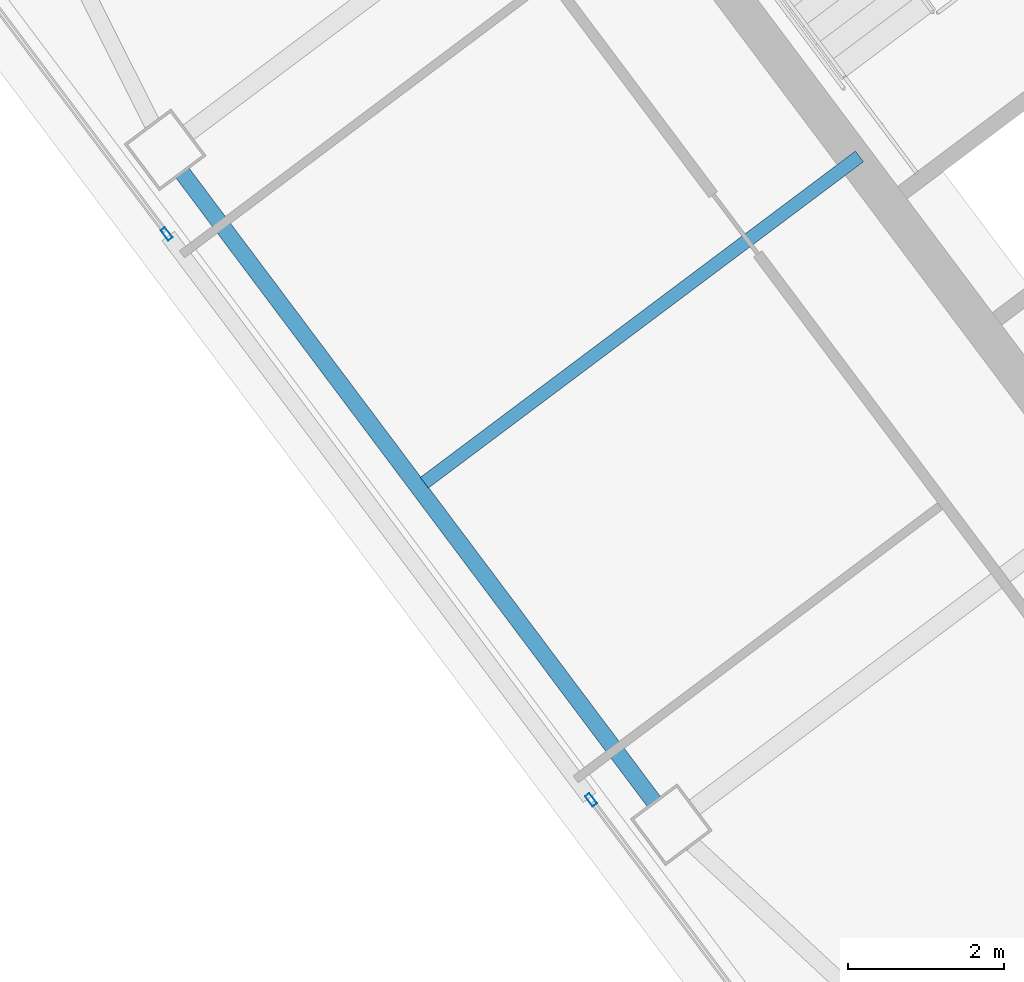
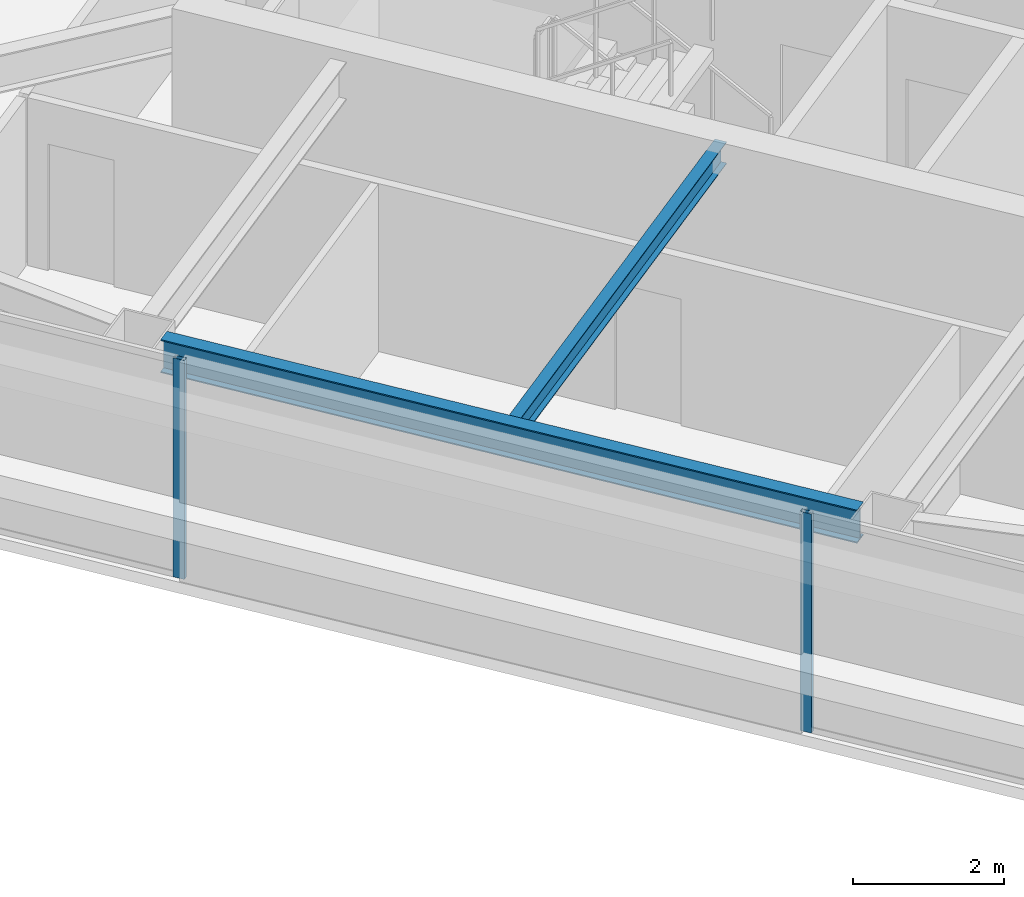
# One storey, part 16 of 39: 2 beams, 2 members, 2 elements without a shape of their own.
"""IFC4 building model written with IfcOpenShell, lengths in metres."""

from ifc_helpers import new_model, si_unit, direction, frame, origin, origin_2d, place, context, subcontext, project, spatial, hollow_rectangle, i_section, extrude, material, material_profile, profile_set, type_object, element, aggregate, save


model = new_model("IFC4")

# Units and contexts
model_context = context("Model", 3, precision=1e-05, world=origin(), true_north=direction((0.0, 1.0)))
body_context = subcontext(model_context, "Body", "Model", "MODEL_VIEW")
ifc_project = project(units=[si_unit("LENGTHUNIT", "METRE"), si_unit("AREAUNIT", "SQUARE_METRE"), si_unit("VOLUMEUNIT", "CUBIC_METRE"), si_unit("PLANEANGLEUNIT", "RADIAN"), si_unit("MASSUNIT", "GRAM", prefix="KILO")], contexts=[model_context])

# Site, building, storey
site_placement = place(None, origin())
site = spatial("IfcSite", under=ifc_project, at=site_placement, CompositionType="ELEMENT")
building_placement = place(site_placement, origin())
building = spatial("IfcBuilding", under=site, at=building_placement, Name="Tashvorn Skyway Center", CompositionType="ELEMENT")
storey_placement = place(building_placement, frame((0.0, 0.0, 207.75)))
storey = spatial("IfcBuildingStorey", under=building, at=storey_placement, Name="L56", CompositionType="ELEMENT", Elevation=207.75)

# Beams
ifc_material_1 = material(Name="Steel ASTM A992 Grade 50", Category="steel")
ifc_material_profile_1 = material_profile(ifc_material_1, i_section(OverallWidth=0.1708984375, OverallDepth=0.35498046875, WebThickness=0.007080078125, FlangeThickness=0.01171875, at=origin_2d()), Name="W14X34")
ifc_profile_set_1 = profile_set([ifc_material_profile_1], Name="Steel ASTM A992 Grade 50")
beam_type_1 = type_object("IfcBeamType", Name="BM-JOIST-W14X34", PredefinedType="JOIST", material=ifc_profile_set_1)
beam_1_placement = place(storey_placement, frame((107.76806640625, 27.325927734375, 3.1923828125), z_axis=(-0.800004207761, -0.599994389612, 0.0), x_axis=(0.599994389612, -0.800004207761, 0.0)))
element("IfcBeam", 1, at=beam_1_placement, inside=storey, type_object=beam_type_1, Name="Tower 2 L56 Secondary Composite Joist JW", PredefinedType="JOIST", context=body_context, shape_type="SweptSolid", body=[
    extrude(i_section(OverallWidth=0.1708984375, OverallDepth=0.35498046875, WebThickness=0.007080078125, FlangeThickness=0.01171875, at=origin_2d()), origin(), (0.0, 0.0, 1.0), 6.962646484375),
])
ifc_material_profile_2 = material_profile(ifc_material_1, i_section(OverallWidth=0.2109375, OverallDepth=0.5390625, WebThickness=0.01171875, FlangeThickness=0.018798828125, at=origin_2d()), Name="W21X73")
ifc_profile_set_2 = profile_set([ifc_material_profile_2], Name="Steel ASTM A992 Grade 50")
beam_type_2 = type_object("IfcBeamType", Name="BM-SPANDREL-W21X73", PredefinedType="SPANDREL", material=ifc_profile_set_2)
beam_2_placement = place(storey_placement, frame((99.10205078125, 27.114013671875, 3.1005859375), z_axis=(0.599988351091, -0.800008736549, 0.0), x_axis=(0.800008736549, 0.599988351091, 0.0)))
element("IfcBeam", 2, at=beam_2_placement, inside=storey, type_object=beam_type_2, Name="Tower 2 L56 Spandrel Beam 11", PredefinedType="SPANDREL", context=body_context, shape_type="SweptSolid", body=[
    extrude(i_section(OverallWidth=0.2109375, OverallDepth=0.5390625, WebThickness=0.01171875, FlangeThickness=0.018798828125, at=origin_2d()), origin(), (0.0, 0.0, 1.0), 10.06005859375),
])

# Curtain wall, member
ifc_material_2 = material(Name="Thermally broken bronze-anodized aluminium 6063-T6", Category="aluminium")
curtain_wall_type = type_object("IfcCurtainWallType", Name="CW-CW-Z5", PredefinedType="NOTDEFINED", material=ifc_material_2)
curtain_wall_1_placement = place(storey_placement, origin())
curtain_wall_1 = element("IfcCurtainWall", 3, at=curtain_wall_1_placement, inside=storey, type_object=curtain_wall_type, Name="Tower 2 L56 West Unitised Curtain Wall Glazing Group 1", PredefinedType="NOTDEFINED")
ifc_material_profile_3 = material_profile(ifc_material_2, hollow_rectangle(XDim=0.070068359375, YDim=0.1650390625, WallThickness=0.00390625, at=origin_2d()), Name="ALU-MULL-70x165")
ifc_profile_set_3 = profile_set([ifc_material_profile_3], Name="Thermally broken bronze-anodized aluminium 6063-T6")
member_type = type_object("IfcMemberType", Name="CWM-CW-Z5", PredefinedType="MULLION", material=ifc_profile_set_3)
member_1_placement = place(storey_placement, frame((104.3330078125, 19.08935546875, 0.0), z_axis=(0.0, 0.0, 1.0), x_axis=(-0.799998664683, -0.600001780418, 0.0)))
member_1 = element("IfcMember", 4, at=member_1_placement, type_object=member_type, Name="CW-Z5 mullion 2", PredefinedType="MULLION", context=body_context, shape_type="SweptSolid", body=[
    extrude(hollow_rectangle(XDim=0.070068359375, YDim=0.1650390625, WallThickness=0.00390625, at=origin_2d()), origin(), (0.0, 0.0, 1.0), 3.550048828125),
])
aggregate(curtain_wall_1, [member_1])

curtain_wall_2_placement = place(storey_placement, origin())
curtain_wall_2 = element("IfcCurtainWall", 5, at=curtain_wall_2_placement, inside=storey, type_object=curtain_wall_type, Name="Tower 2 L56 West Unitised Curtain Wall Glazing Group 2", PredefinedType="NOTDEFINED")
member_2_placement = place(storey_placement, frame((98.89892578125, 26.334716796875, 0.0), z_axis=(0.0, 0.0, 1.0), x_axis=(-0.799998664683, -0.600001780418, 0.0)))
member_2 = element("IfcMember", 6, at=member_2_placement, type_object=member_type, Name="CW-Z5 mullion 1", PredefinedType="MULLION", context=body_context, shape_type="SweptSolid", body=[
    extrude(hollow_rectangle(XDim=0.070068359375, YDim=0.1650390625, WallThickness=0.00390625, at=origin_2d()), origin(), (0.0, 0.0, 1.0), 3.550048828125),
])
aggregate(curtain_wall_2, [member_2])

save(model, "model.ifc")
